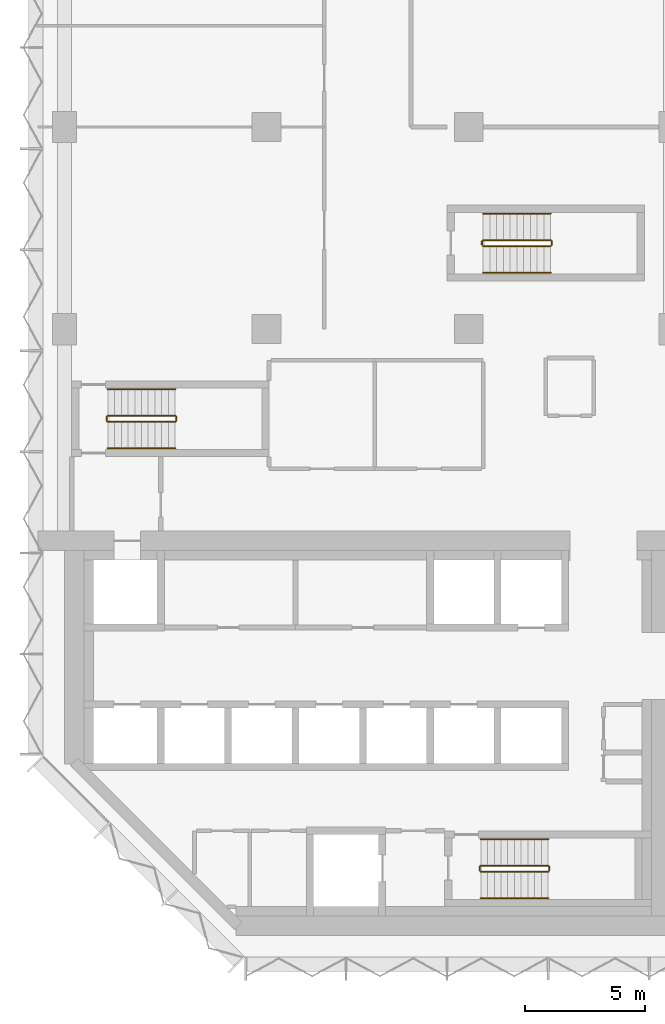
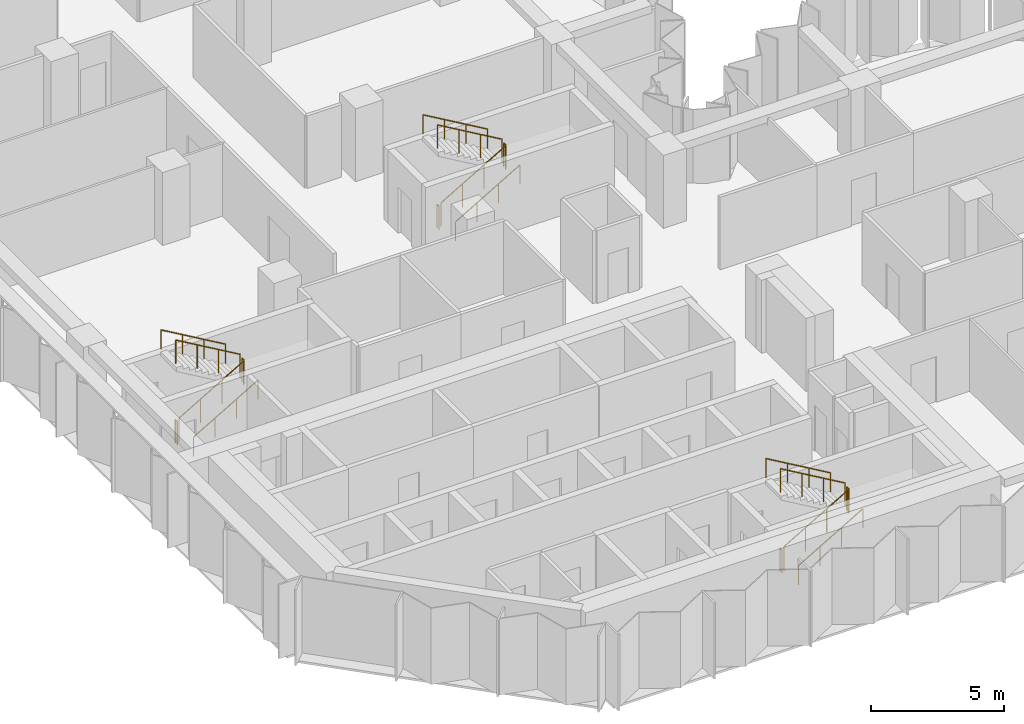
# One storey, part 12 of 13: 18 railings.
"""IFC4 building model written with IfcOpenShell, lengths in metres."""

from ifc_helpers import new_model, si_unit, direction, frame, origin, origin_2d, place, context, subcontext, project, spatial, circle, extrude, material, type_object, element, save


model = new_model("IFC4")

# Units and contexts
model_context = context("Model", 3, precision=1e-05, world=origin(), true_north=direction((0.0, 1.0)))
body_context = subcontext(model_context, "Body", "Model", "MODEL_VIEW")
ifc_project = project(units=[si_unit("LENGTHUNIT", "METRE"), si_unit("AREAUNIT", "SQUARE_METRE"), si_unit("VOLUMEUNIT", "CUBIC_METRE"), si_unit("PLANEANGLEUNIT", "RADIAN"), si_unit("MASSUNIT", "GRAM", prefix="KILO")], contexts=[model_context])

# Site, building, storey
site_placement = place(None, origin())
site = spatial("IfcSite", under=ifc_project, at=site_placement, CompositionType="ELEMENT")
building_placement = place(site_placement, origin())
building = spatial("IfcBuilding", under=site, at=building_placement, Name="Brevane Broadcast Tower", CompositionType="ELEMENT")
storey_placement = place(building_placement, frame((0.0, 0.0, 131.300048828125)))
storey = spatial("IfcBuildingStorey", under=building, at=storey_placement, Name="L32", CompositionType="ELEMENT", Elevation=131.300048828125)

# Railings
ifc_material = material(Name="Steel S355", Category="steel")
railing_type_1 = type_object("IfcRailingType", Name="Exit stair guard", PredefinedType="GUARDRAIL", material=ifc_material)
railing_1_placement = place(storey_placement, frame((1.800048828125, 21.35009765625, 0.16357421875)))
element("IfcRailing", 1, at=railing_1_placement, inside=storey, type_object=railing_type_1, Name="L32 ST-1 stair guard 1", PredefinedType="GUARDRAIL", context=body_context, shape_type="SweptSolid", body=[
    extrude(circle(Radius=0.02392578125, at=origin_2d()), frame((0.0, 0.0, 1.076171875), z_axis=(0.863360870873, 0.0, 0.504586966384), x_axis=(0.0, 1.0, 0.0)), (0.0, 0.0, 1.0), 3.2431640625),
    extrude(circle(Radius=0.02099609375, at=origin_2d()), origin(), (0.0, 0.0, 1.0), 1.052001953125),
    extrude(circle(Radius=0.02099609375, at=origin_2d()), frame((0.933349609375, 0.0, 0.54541015625)), (0.0, 0.0, 1.0), 1.052001953125),
    extrude(circle(Radius=0.02099609375, at=origin_2d()), frame((1.86669921875, 0.0, 1.091064453125)), (0.0, 0.0, 1.0), 1.052001953125),
    extrude(circle(Radius=0.02099609375, at=origin_2d()), frame((2.800048828125, 0.0, 1.636474609375)), (0.0, 0.0, 1.0), 1.052001953125),
])
railing_2_placement = place(storey_placement, frame((4.64990234375, 21.39990234375, 1.800048828125)))
element("IfcRailing", 2, at=railing_2_placement, inside=storey, type_object=railing_type_1, Name="L32 ST-1 stair guard 2", PredefinedType="GUARDRAIL", context=body_context, shape_type="SweptSolid", body=[
    extrude(circle(Radius=0.02392578125, at=origin_2d()), frame((0.0, 0.0, 1.076171875), z_axis=(0.0, 1.0, 0.0), x_axis=(-1.0, 0.0, 0.0)), (0.0, 0.0, 1.0), 0.150146484375),
    extrude(circle(Radius=0.02099609375, at=origin_2d()), origin(), (0.0, 0.0, 1.0), 1.052001953125),
    extrude(circle(Radius=0.02099609375, at=origin_2d()), frame((0.0, 0.150146484375, 0.0)), (0.0, 0.0, 1.0), 1.052001953125),
])
railing_3_placement = place(storey_placement, frame((4.60009765625, 21.60009765625, 1.963623046875)))
element("IfcRailing", 3, at=railing_3_placement, inside=storey, type_object=railing_type_1, Name="L32 ST-1 stair guard 3", PredefinedType="GUARDRAIL", context=body_context, shape_type="SweptSolid", body=[
    extrude(circle(Radius=0.02392578125, at=origin_2d()), frame((0.0, 0.0, 1.076171875), z_axis=(-0.863393664356, 0.0, 0.504530851732), x_axis=(0.0, -1.0, 0.0)), (0.0, 0.0, 1.0), 3.2431640625),
    extrude(circle(Radius=0.02099609375, at=origin_2d()), origin(), (0.0, 0.0, 1.0), 1.052001953125),
    extrude(circle(Radius=0.02099609375, at=origin_2d()), frame((-0.933349609375, 0.0, 0.54541015625)), (0.0, 0.0, 1.0), 1.052001953125),
    extrude(circle(Radius=0.02099609375, at=origin_2d()), frame((-1.86669921875, 0.0, 1.0908203125)), (0.0, 0.0, 1.0), 1.052001953125),
    extrude(circle(Radius=0.02099609375, at=origin_2d()), frame((-2.800048828125, 0.0, 1.63623046875)), (0.0, 0.0, 1.0), 1.052001953125),
])
railing_4_placement = place(storey_placement, frame((1.75, 21.39990234375, 0.0)))
element("IfcRailing", 4, at=railing_4_placement, inside=storey, type_object=railing_type_1, Name="L32 ST-1 stair guard 4", PredefinedType="GUARDRAIL", context=body_context, shape_type="SweptSolid", body=[
    extrude(circle(Radius=0.02392578125, at=origin_2d()), frame((0.0, 0.0, 1.076171875), z_axis=(0.0, 1.0, 0.0), x_axis=(-1.0, 0.0, 0.0)), (0.0, 0.0, 1.0), 0.150146484375),
    extrude(circle(Radius=0.02099609375, at=origin_2d()), origin(), (0.0, 0.0, 1.0), 1.052001953125),
    extrude(circle(Radius=0.02099609375, at=origin_2d()), frame((0.0, 0.150146484375, 0.0)), (0.0, 0.0, 1.0), 1.052001953125),
])
railing_5_placement = place(storey_placement, frame((17.300048828125, 2.64990234375, 0.16357421875)))
element("IfcRailing", 5, at=railing_5_placement, inside=storey, type_object=railing_type_1, Name="L32 ST-2 stair guard 1", PredefinedType="GUARDRAIL", context=body_context, shape_type="SweptSolid", body=[
    extrude(circle(Radius=0.02392578125, at=origin_2d()), frame((0.0, 0.0, 1.076171875), z_axis=(0.863360870873, 0.0, 0.504586966384), x_axis=(0.0, 1.0, 0.0)), (0.0, 0.0, 1.0), 3.2431640625),
    extrude(circle(Radius=0.02099609375, at=origin_2d()), origin(), (0.0, 0.0, 1.0), 1.052001953125),
    extrude(circle(Radius=0.02099609375, at=origin_2d()), frame((0.933349609375, 0.0, 0.54541015625)), (0.0, 0.0, 1.0), 1.052001953125),
    extrude(circle(Radius=0.02099609375, at=origin_2d()), frame((1.86669921875, 0.0, 1.091064453125)), (0.0, 0.0, 1.0), 1.052001953125),
    extrude(circle(Radius=0.02099609375, at=origin_2d()), frame((2.800048828125, 0.0, 1.636474609375)), (0.0, 0.0, 1.0), 1.052001953125),
])
railing_6_placement = place(storey_placement, frame((20.14990234375, 2.699951171875, 1.800048828125)))
element("IfcRailing", 6, at=railing_6_placement, inside=storey, type_object=railing_type_1, Name="L32 ST-2 stair guard 2", PredefinedType="GUARDRAIL", context=body_context, shape_type="SweptSolid", body=[
    extrude(circle(Radius=0.02392578125, at=origin_2d()), frame((0.0, 0.0, 1.076171875), z_axis=(0.0, 1.0, 0.0), x_axis=(-1.0, 0.0, 0.0)), (0.0, 0.0, 1.0), 0.150146484375),
    extrude(circle(Radius=0.02099609375, at=origin_2d()), origin(), (0.0, 0.0, 1.0), 1.052001953125),
    extrude(circle(Radius=0.02099609375, at=origin_2d()), frame((0.0, 0.150146484375, 0.0)), (0.0, 0.0, 1.0), 1.052001953125),
])
railing_7_placement = place(storey_placement, frame((20.10009765625, 2.89990234375, 1.963623046875)))
element("IfcRailing", 7, at=railing_7_placement, inside=storey, type_object=railing_type_1, Name="L32 ST-2 stair guard 3", PredefinedType="GUARDRAIL", context=body_context, shape_type="SweptSolid", body=[
    extrude(circle(Radius=0.02392578125, at=origin_2d()), frame((0.0, 0.0, 1.076171875), z_axis=(-0.863393664356, 0.0, 0.504530851732), x_axis=(0.0, -1.0, 0.0)), (0.0, 0.0, 1.0), 3.2431640625),
    extrude(circle(Radius=0.02099609375, at=origin_2d()), origin(), (0.0, 0.0, 1.0), 1.052001953125),
    extrude(circle(Radius=0.02099609375, at=origin_2d()), frame((-0.933349609375, 0.0, 0.54541015625)), (0.0, 0.0, 1.0), 1.052001953125),
    extrude(circle(Radius=0.02099609375, at=origin_2d()), frame((-1.86669921875, 0.0, 1.0908203125)), (0.0, 0.0, 1.0), 1.052001953125),
    extrude(circle(Radius=0.02099609375, at=origin_2d()), frame((-2.800048828125, 0.0, 1.63623046875)), (0.0, 0.0, 1.0), 1.052001953125),
])
railing_8_placement = place(storey_placement, frame((17.25, 2.699951171875, 0.0)))
element("IfcRailing", 8, at=railing_8_placement, inside=storey, type_object=railing_type_1, Name="L32 ST-2 stair guard 4", PredefinedType="GUARDRAIL", context=body_context, shape_type="SweptSolid", body=[
    extrude(circle(Radius=0.02392578125, at=origin_2d()), frame((0.0, 0.0, 1.076171875), z_axis=(0.0, 1.0, 0.0), x_axis=(-1.0, 0.0, 0.0)), (0.0, 0.0, 1.0), 0.150146484375),
    extrude(circle(Radius=0.02099609375, at=origin_2d()), origin(), (0.0, 0.0, 1.0), 1.052001953125),
    extrude(circle(Radius=0.02099609375, at=origin_2d()), frame((0.0, 0.150146484375, 0.0)), (0.0, 0.0, 1.0), 1.052001953125),
])
railing_9_placement = place(storey_placement, frame((17.39990234375, 28.64990234375, 0.16357421875)))
element("IfcRailing", 9, at=railing_9_placement, inside=storey, type_object=railing_type_1, Name="L32 ST-3 stair guard 1", PredefinedType="GUARDRAIL", context=body_context, shape_type="SweptSolid", body=[
    extrude(circle(Radius=0.02392578125, at=origin_2d()), frame((0.0, 0.0, 1.076171875), z_axis=(0.863360870873, 0.0, 0.504586966384), x_axis=(0.0, 1.0, 0.0)), (0.0, 0.0, 1.0), 3.2431640625),
    extrude(circle(Radius=0.02099609375, at=origin_2d()), origin(), (0.0, 0.0, 1.0), 1.052001953125),
    extrude(circle(Radius=0.02099609375, at=origin_2d()), frame((0.933349609375, 0.0, 0.54541015625)), (0.0, 0.0, 1.0), 1.052001953125),
    extrude(circle(Radius=0.02099609375, at=origin_2d()), frame((1.86669921875, 0.0, 1.091064453125)), (0.0, 0.0, 1.0), 1.052001953125),
    extrude(circle(Radius=0.02099609375, at=origin_2d()), frame((2.800048828125, 0.0, 1.636474609375)), (0.0, 0.0, 1.0), 1.052001953125),
])
railing_10_placement = place(storey_placement, frame((20.25, 28.699951171875, 1.800048828125)))
element("IfcRailing", 10, at=railing_10_placement, inside=storey, type_object=railing_type_1, Name="L32 ST-3 stair guard 2", PredefinedType="GUARDRAIL", context=body_context, shape_type="SweptSolid", body=[
    extrude(circle(Radius=0.02392578125, at=origin_2d()), frame((0.0, 0.0, 1.076171875), z_axis=(0.0, 1.0, 0.0), x_axis=(-1.0, 0.0, 0.0)), (0.0, 0.0, 1.0), 0.150146484375),
    extrude(circle(Radius=0.02099609375, at=origin_2d()), origin(), (0.0, 0.0, 1.0), 1.052001953125),
    extrude(circle(Radius=0.02099609375, at=origin_2d()), frame((0.0, 0.150146484375, 0.0)), (0.0, 0.0, 1.0), 1.052001953125),
])
railing_11_placement = place(storey_placement, frame((20.199951171875, 28.89990234375, 1.963623046875)))
element("IfcRailing", 11, at=railing_11_placement, inside=storey, type_object=railing_type_1, Name="L32 ST-3 stair guard 3", PredefinedType="GUARDRAIL", context=body_context, shape_type="SweptSolid", body=[
    extrude(circle(Radius=0.02392578125, at=origin_2d()), frame((0.0, 0.0, 1.076171875), z_axis=(-0.863393664356, 0.0, 0.504530851732), x_axis=(0.0, -1.0, 0.0)), (0.0, 0.0, 1.0), 3.2431640625),
    extrude(circle(Radius=0.02099609375, at=origin_2d()), origin(), (0.0, 0.0, 1.0), 1.052001953125),
    extrude(circle(Radius=0.02099609375, at=origin_2d()), frame((-0.933349609375, 0.0, 0.54541015625)), (0.0, 0.0, 1.0), 1.052001953125),
    extrude(circle(Radius=0.02099609375, at=origin_2d()), frame((-1.86669921875, 0.0, 1.0908203125)), (0.0, 0.0, 1.0), 1.052001953125),
    extrude(circle(Radius=0.02099609375, at=origin_2d()), frame((-2.800048828125, 0.0, 1.63623046875)), (0.0, 0.0, 1.0), 1.052001953125),
])
railing_12_placement = place(storey_placement, frame((17.35009765625, 28.699951171875, 0.0)))
element("IfcRailing", 12, at=railing_12_placement, inside=storey, type_object=railing_type_1, Name="L32 ST-3 stair guard 4", PredefinedType="GUARDRAIL", context=body_context, shape_type="SweptSolid", body=[
    extrude(circle(Radius=0.02392578125, at=origin_2d()), frame((0.0, 0.0, 1.076171875), z_axis=(0.0, 1.0, 0.0), x_axis=(-1.0, 0.0, 0.0)), (0.0, 0.0, 1.0), 0.150146484375),
    extrude(circle(Radius=0.02099609375, at=origin_2d()), origin(), (0.0, 0.0, 1.0), 1.052001953125),
    extrude(circle(Radius=0.02099609375, at=origin_2d()), frame((0.0, 0.150146484375, 0.0)), (0.0, 0.0, 1.0), 1.052001953125),
])
railing_type_2 = type_object("IfcRailingType", Name="Exit stair handrail", PredefinedType="HANDRAIL", material=ifc_material)
railing_13_placement = place(storey_placement, frame((1.800048828125, 20.25, 0.16357421875)))
element("IfcRailing", 13, at=railing_13_placement, inside=storey, type_object=railing_type_2, Name="L32 ST-1 stair handrail 1", PredefinedType="HANDRAIL", context=body_context, shape_type="SweptSolid", body=[
    extrude(circle(Radius=0.02392578125, at=origin_2d()), frame((0.0, 0.0, 0.8759765625), z_axis=(0.863360870873, 0.0, 0.504586966384), x_axis=(0.0, 1.0, 0.0)), (0.0, 0.0, 1.0), 3.2431640625),
    extrude(circle(Radius=0.02099609375, at=origin_2d()), origin(), (0.0, 0.0, 1.0), 0.851806640625),
    extrude(circle(Radius=0.02099609375, at=origin_2d()), frame((0.933349609375, 0.0, 0.54541015625)), (0.0, 0.0, 1.0), 0.851806640625),
    extrude(circle(Radius=0.02099609375, at=origin_2d()), frame((1.86669921875, 0.0, 1.091064453125)), (0.0, 0.0, 1.0), 0.851806640625),
    extrude(circle(Radius=0.02099609375, at=origin_2d()), frame((2.800048828125, 0.0, 1.636474609375)), (0.0, 0.0, 1.0), 0.851806640625),
])
railing_14_placement = place(storey_placement, frame((4.60009765625, 22.699951171875, 1.963623046875)))
element("IfcRailing", 14, at=railing_14_placement, inside=storey, type_object=railing_type_2, Name="L32 ST-1 stair handrail 2", PredefinedType="HANDRAIL", context=body_context, shape_type="SweptSolid", body=[
    extrude(circle(Radius=0.02392578125, at=origin_2d()), frame((0.0, 0.0, 0.8759765625), z_axis=(-0.863393664356, 0.0, 0.504530851732), x_axis=(0.0, -1.0, 0.0)), (0.0, 0.0, 1.0), 3.2431640625),
    extrude(circle(Radius=0.02099609375, at=origin_2d()), origin(), (0.0, 0.0, 1.0), 0.851806640625),
    extrude(circle(Radius=0.02099609375, at=origin_2d()), frame((-0.933349609375, 0.0, 0.54541015625)), (0.0, 0.0, 1.0), 0.851806640625),
    extrude(circle(Radius=0.02099609375, at=origin_2d()), frame((-1.86669921875, 0.0, 1.0908203125)), (0.0, 0.0, 1.0), 0.851806640625),
    extrude(circle(Radius=0.02099609375, at=origin_2d()), frame((-2.800048828125, 0.0, 1.63623046875)), (0.0, 0.0, 1.0), 0.851806640625),
])
railing_15_placement = place(storey_placement, frame((17.300048828125, 1.550048828125, 0.16357421875)))
element("IfcRailing", 15, at=railing_15_placement, inside=storey, type_object=railing_type_2, Name="L32 ST-2 stair handrail 1", PredefinedType="HANDRAIL", context=body_context, shape_type="SweptSolid", body=[
    extrude(circle(Radius=0.02392578125, at=origin_2d()), frame((0.0, 0.0, 0.8759765625), z_axis=(0.863360870873, 0.0, 0.504586966384), x_axis=(0.0, 1.0, 0.0)), (0.0, 0.0, 1.0), 3.2431640625),
    extrude(circle(Radius=0.02099609375, at=origin_2d()), origin(), (0.0, 0.0, 1.0), 0.851806640625),
    extrude(circle(Radius=0.02099609375, at=origin_2d()), frame((0.933349609375, 0.0, 0.54541015625)), (0.0, 0.0, 1.0), 0.851806640625),
    extrude(circle(Radius=0.02099609375, at=origin_2d()), frame((1.86669921875, 0.0, 1.091064453125)), (0.0, 0.0, 1.0), 0.851806640625),
    extrude(circle(Radius=0.02099609375, at=origin_2d()), frame((2.800048828125, 0.0, 1.636474609375)), (0.0, 0.0, 1.0), 0.851806640625),
])
railing_16_placement = place(storey_placement, frame((20.10009765625, 4.0, 1.963623046875)))
element("IfcRailing", 16, at=railing_16_placement, inside=storey, type_object=railing_type_2, Name="L32 ST-2 stair handrail 2", PredefinedType="HANDRAIL", context=body_context, shape_type="SweptSolid", body=[
    extrude(circle(Radius=0.02392578125, at=origin_2d()), frame((0.0, 0.0, 0.8759765625), z_axis=(-0.863393664356, 0.0, 0.504530851732), x_axis=(0.0, -1.0, 0.0)), (0.0, 0.0, 1.0), 3.2431640625),
    extrude(circle(Radius=0.02099609375, at=origin_2d()), origin(), (0.0, 0.0, 1.0), 0.851806640625),
    extrude(circle(Radius=0.02099609375, at=origin_2d()), frame((-0.933349609375, 0.0, 0.54541015625)), (0.0, 0.0, 1.0), 0.851806640625),
    extrude(circle(Radius=0.02099609375, at=origin_2d()), frame((-1.86669921875, 0.0, 1.0908203125)), (0.0, 0.0, 1.0), 0.851806640625),
    extrude(circle(Radius=0.02099609375, at=origin_2d()), frame((-2.800048828125, 0.0, 1.63623046875)), (0.0, 0.0, 1.0), 0.851806640625),
])
railing_17_placement = place(storey_placement, frame((17.39990234375, 27.550048828125, 0.16357421875)))
element("IfcRailing", 17, at=railing_17_placement, inside=storey, type_object=railing_type_2, Name="L32 ST-3 stair handrail 1", PredefinedType="HANDRAIL", context=body_context, shape_type="SweptSolid", body=[
    extrude(circle(Radius=0.02392578125, at=origin_2d()), frame((0.0, 0.0, 0.8759765625), z_axis=(0.863360870873, 0.0, 0.504586966384), x_axis=(0.0, 1.0, 0.0)), (0.0, 0.0, 1.0), 3.2431640625),
    extrude(circle(Radius=0.02099609375, at=origin_2d()), origin(), (0.0, 0.0, 1.0), 0.851806640625),
    extrude(circle(Radius=0.02099609375, at=origin_2d()), frame((0.933349609375, 0.0, 0.54541015625)), (0.0, 0.0, 1.0), 0.851806640625),
    extrude(circle(Radius=0.02099609375, at=origin_2d()), frame((1.86669921875, 0.0, 1.091064453125)), (0.0, 0.0, 1.0), 0.851806640625),
    extrude(circle(Radius=0.02099609375, at=origin_2d()), frame((2.800048828125, 0.0, 1.636474609375)), (0.0, 0.0, 1.0), 0.851806640625),
])
railing_18_placement = place(storey_placement, frame((20.199951171875, 30.0, 1.963623046875)))
element("IfcRailing", 18, at=railing_18_placement, inside=storey, type_object=railing_type_2, Name="L32 ST-3 stair handrail 2", PredefinedType="HANDRAIL", context=body_context, shape_type="SweptSolid", body=[
    extrude(circle(Radius=0.02392578125, at=origin_2d()), frame((0.0, 0.0, 0.8759765625), z_axis=(-0.863393664356, 0.0, 0.504530851732), x_axis=(0.0, -1.0, 0.0)), (0.0, 0.0, 1.0), 3.2431640625),
    extrude(circle(Radius=0.02099609375, at=origin_2d()), origin(), (0.0, 0.0, 1.0), 0.851806640625),
    extrude(circle(Radius=0.02099609375, at=origin_2d()), frame((-0.933349609375, 0.0, 0.54541015625)), (0.0, 0.0, 1.0), 0.851806640625),
    extrude(circle(Radius=0.02099609375, at=origin_2d()), frame((-1.86669921875, 0.0, 1.0908203125)), (0.0, 0.0, 1.0), 0.851806640625),
    extrude(circle(Radius=0.02099609375, at=origin_2d()), frame((-2.800048828125, 0.0, 1.63623046875)), (0.0, 0.0, 1.0), 0.851806640625),
])

save(model, "model.ifc")
